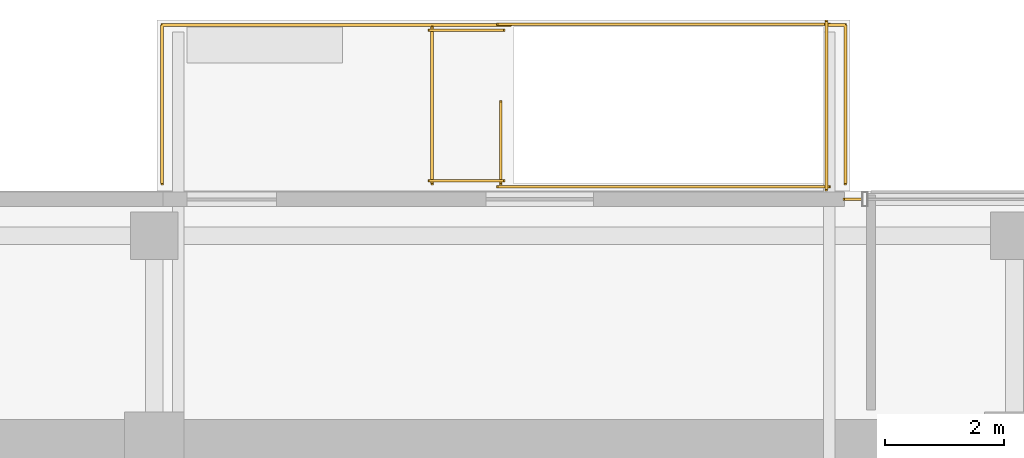
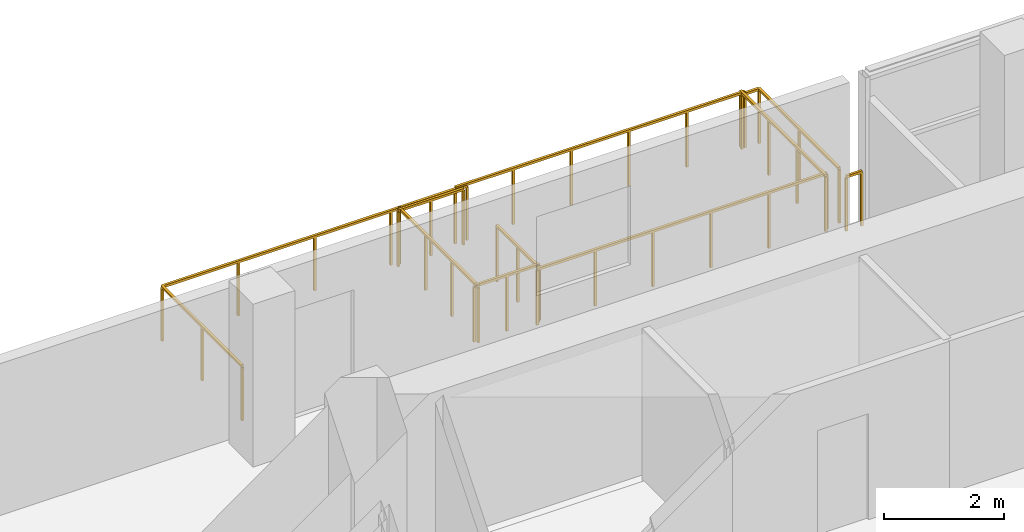
# One storey, part 22 of 23: 10 railings.
"""IFC4 building model written with IfcOpenShell, lengths in metres."""

from ifc_helpers import new_model, si_unit, direction, frame, origin, origin_2d, place, context, subcontext, project, spatial, rectangle, extrude, material, type_object, element, save


model = new_model("IFC4")

# Units and contexts
model_context = context("Model", 3, precision=1e-05, world=origin(), true_north=direction((0.0, 1.0)))
body_context = subcontext(model_context, "Body", "Model", "MODEL_VIEW")
ifc_project = project(units=[si_unit("LENGTHUNIT", "METRE"), si_unit("AREAUNIT", "SQUARE_METRE"), si_unit("VOLUMEUNIT", "CUBIC_METRE"), si_unit("PLANEANGLEUNIT", "RADIAN"), si_unit("MASSUNIT", "GRAM", prefix="KILO")], contexts=[model_context])

# Site, building, storey
site_placement = place(None, origin())
site = spatial("IfcSite", under=ifc_project, at=site_placement, CompositionType="ELEMENT")
building_placement = place(site_placement, origin())
building = spatial("IfcBuilding", under=site, at=building_placement, Name="Zarnakvel Exchange Tower", CompositionType="ELEMENT")
storey_placement = place(building_placement, frame((0.0, 0.0, 116.5)))
storey = spatial("IfcBuildingStorey", under=building, at=storey_placement, Name="L32", CompositionType="ELEMENT", Elevation=116.5)

# Railings
ifc_material = material(Name="Architectural Bronze Anodised Aluminium", Category="aluminium")
railing_type_1 = type_object("IfcRailingType", Name="GR-02", PredefinedType="GUARDRAIL", material=ifc_material)
railing_1_placement = place(storey_placement, frame((-7.070068359375, 17.820068359375, 0.0)))
element("IfcRailing", 1, at=railing_1_placement, inside=storey, type_object=railing_type_1, Name="L32 Spiral Sky-Terrace West Perimeter Guardrail", PredefinedType="GUARDRAIL", context=body_context, shape_type="SweptSolid", body=[
    extrude(rectangle(XDim=0.048095703125, YDim=0.048095703125, at=origin_2d()), frame((0.0, 0.0, 1.09619140625), z_axis=(0.0, 1.0, 0.0), x_axis=(-1.0, 0.0, 0.0)), (0.0, 0.0, 1.0), 2.659912109375),
    extrude(rectangle(XDim=0.048095703125, YDim=0.048095703125, at=origin_2d()), frame((0.0, 2.659912109375, 1.09619140625), z_axis=(1.0, 0.0, 0.0), x_axis=(0.0, 1.0, 0.0)), (0.0, 0.0, 1.0), 5.840087890625),
    extrude(rectangle(XDim=0.0419921875, YDim=0.0419921875, at=origin_2d()), origin(), (0.0, 0.0, 1.0), 1.072021484375),
    extrude(rectangle(XDim=0.0419921875, YDim=0.0419921875, at=origin_2d()), frame((0.0, 1.330078125, 0.0)), (0.0, 0.0, 1.0), 1.072021484375),
    extrude(rectangle(XDim=0.0419921875, YDim=0.0419921875, at=origin_2d()), frame((0.0, 2.659912109375, 0.0)), (0.0, 0.0, 1.0), 1.072021484375),
    extrude(rectangle(XDim=0.0419921875, YDim=0.0419921875, at=origin_2d()), frame((1.4599609375, 2.659912109375, 0.0)), (0.0, 0.0, 1.0), 1.072021484375),
    extrude(rectangle(XDim=0.0419921875, YDim=0.0419921875, at=origin_2d()), frame((2.919921875, 2.659912109375, 0.0)), (0.0, 0.0, 1.0), 1.072021484375),
    extrude(rectangle(XDim=0.0419921875, YDim=0.0419921875, at=origin_2d()), frame((4.380126953125, 2.659912109375, 0.0)), (0.0, 0.0, 1.0), 1.072021484375),
    extrude(rectangle(XDim=0.0419921875, YDim=0.0419921875, at=origin_2d()), frame((5.840087890625, 2.659912109375, 0.0)), (0.0, 0.0, 1.0), 1.072021484375),
])
railing_2_placement = place(storey_placement, frame((4.0400390625, 20.47998046875, 0.0)))
element("IfcRailing", 2, at=railing_2_placement, inside=storey, type_object=railing_type_1, Name="L32 Spiral Sky-Terrace East Corner Guardrail", PredefinedType="GUARDRAIL", context=body_context, shape_type="SweptSolid", body=[
    extrude(rectangle(XDim=0.048095703125, YDim=0.048095703125, at=origin_2d()), frame((0.0, 0.0, 1.09619140625), z_axis=(1.0, 0.0, 0.0), x_axis=(0.0, 1.0, 0.0)), (0.0, 0.0, 1.0), 0.330078125),
    extrude(rectangle(XDim=0.048095703125, YDim=0.048095703125, at=origin_2d()), frame((0.330078125, 0.0, 1.09619140625), z_axis=(0.0, -1.0, 0.0), x_axis=(1.0, 0.0, 0.0)), (0.0, 0.0, 1.0), 2.659912109375),
    extrude(rectangle(XDim=0.0419921875, YDim=0.0419921875, at=origin_2d()), origin(), (0.0, 0.0, 1.0), 1.072021484375),
    extrude(rectangle(XDim=0.0419921875, YDim=0.0419921875, at=origin_2d()), frame((0.330078125, 0.0, 0.0)), (0.0, 0.0, 1.0), 1.072021484375),
    extrude(rectangle(XDim=0.0419921875, YDim=0.0419921875, at=origin_2d()), frame((0.330078125, -1.330078125, 0.0)), (0.0, 0.0, 1.0), 1.072021484375),
    extrude(rectangle(XDim=0.0419921875, YDim=0.0419921875, at=origin_2d()), frame((0.330078125, -2.659912109375, 0.0)), (0.0, 0.0, 1.0), 1.072021484375),
])
railing_3_placement = place(storey_placement, frame((4.35009765625, 17.56005859375, 0.0)))
element("IfcRailing", 3, at=railing_3_placement, inside=storey, type_object=railing_type_1, Name="L32 Corner Spandrel Balustrade #8", PredefinedType="GUARDRAIL", context=body_context, shape_type="SweptSolid", body=[
    extrude(rectangle(XDim=0.048095703125, YDim=0.048095703125, at=origin_2d()), frame((0.0, 0.0, 1.09619140625), z_axis=(1.0, 0.0, 0.0), x_axis=(0.0, 1.0, 0.0)), (0.0, 0.0, 1.0), 0.2998046875),
    extrude(rectangle(XDim=0.0419921875, YDim=0.0419921875, at=origin_2d()), origin(), (0.0, 0.0, 1.0), 1.072021484375),
    extrude(rectangle(XDim=0.0419921875, YDim=0.0419921875, at=origin_2d()), frame((0.2998046875, 0.0, 0.0)), (0.0, 0.0, 1.0), 1.072021484375),
])
railing_type_2 = type_object("IfcRailingType", Name="SG-01", PredefinedType="GUARDRAIL", material=ifc_material)
railing_4_placement = place(storey_placement, frame((-1.39990234375, 17.820068359375, 0.0)))
element("IfcRailing", 4, at=railing_4_placement, inside=storey, type_object=railing_type_2, Name="L32 ST-10 top well guard 1", PredefinedType="GUARDRAIL", context=body_context, shape_type="SweptSolid", body=[
    extrude(rectangle(XDim=0.048095703125, YDim=0.048095703125, at=origin_2d()), frame((0.0, 0.0, 1.1259765625), z_axis=(0.0, 1.0, 0.0), x_axis=(-1.0, 0.0, 0.0)), (0.0, 0.0, 1.0), 1.369873046875),
    extrude(rectangle(XDim=0.0419921875, YDim=0.0419921875, at=origin_2d()), origin(), (0.0, 0.0, 1.0), 1.101806640625),
    extrude(rectangle(XDim=0.0419921875, YDim=0.0419921875, at=origin_2d()), frame((0.0, 0.68505859375, 0.0)), (0.0, 0.0, 1.0), 1.101806640625),
    extrude(rectangle(XDim=0.0419921875, YDim=0.0419921875, at=origin_2d()), frame((0.0, 1.369873046875, 0.0)), (0.0, 0.0, 1.0), 1.101806640625),
])
for number, where, name in (
    (5, (-1.449951171875, 17.77001953125, 0.0), "L32 ST-10 top well guard 2"),
    (6, (-1.449951171875, 20.489990234375, 0.0), "L32 ST-10 top well guard 3"),
):
    element("IfcRailing", number, at=place(storey_placement, frame(where)), inside=storey, type_object=railing_type_2, Name=name, PredefinedType="GUARDRAIL", context=body_context, shape_type="SweptSolid", body=[
        extrude(rectangle(XDim=0.048095703125, YDim=0.048095703125, at=origin_2d()), frame((0.0, 0.0, 1.1259765625), z_axis=(1.0, 0.0, 0.0), x_axis=(0.0, 1.0, 0.0)), (0.0, 0.0, 1.0), 5.550048828125),
        extrude(rectangle(XDim=0.0419921875, YDim=0.0419921875, at=origin_2d()), origin(), (0.0, 0.0, 1.0), 1.101806640625),
        extrude(rectangle(XDim=0.0419921875, YDim=0.0419921875, at=origin_2d()), frame((1.110107421875, 0.0, 0.0)), (0.0, 0.0, 1.0), 1.101806640625),
        extrude(rectangle(XDim=0.0419921875, YDim=0.0419921875, at=origin_2d()), frame((2.219970703125, 0.0, 0.0)), (0.0, 0.0, 1.0), 1.101806640625),
        extrude(rectangle(XDim=0.0419921875, YDim=0.0419921875, at=origin_2d()), frame((3.330078125, 0.0, 0.0)), (0.0, 0.0, 1.0), 1.101806640625),
        extrude(rectangle(XDim=0.0419921875, YDim=0.0419921875, at=origin_2d()), frame((4.43994140625, 0.0, 0.0)), (0.0, 0.0, 1.0), 1.101806640625),
        extrude(rectangle(XDim=0.0419921875, YDim=0.0419921875, at=origin_2d()), frame((5.550048828125, 0.0, 0.0)), (0.0, 0.0, 1.0), 1.101806640625),
    ])
railing_5_placement = place(storey_placement, frame((4.050048828125, 17.719970703125, 0.0)))
element("IfcRailing", 7, at=railing_5_placement, inside=storey, type_object=railing_type_2, Name="L32 ST-10 top well guard 4", PredefinedType="GUARDRAIL", context=body_context, shape_type="SweptSolid", body=[
    extrude(rectangle(XDim=0.048095703125, YDim=0.048095703125, at=origin_2d()), frame((0.0, 0.0, 1.1259765625), z_axis=(0.0, 1.0, 0.0), x_axis=(-1.0, 0.0, 0.0)), (0.0, 0.0, 1.0), 2.820068359375),
    extrude(rectangle(XDim=0.0419921875, YDim=0.0419921875, at=origin_2d()), origin(), (0.0, 0.0, 1.0), 1.101806640625),
    extrude(rectangle(XDim=0.0419921875, YDim=0.0419921875, at=origin_2d()), frame((0.0, 0.93994140625, 0.0)), (0.0, 0.0, 1.0), 1.101806640625),
    extrude(rectangle(XDim=0.0419921875, YDim=0.0419921875, at=origin_2d()), frame((0.0, 1.880126953125, 0.0)), (0.0, 0.0, 1.0), 1.101806640625),
    extrude(rectangle(XDim=0.0419921875, YDim=0.0419921875, at=origin_2d()), frame((0.0, 2.820068359375, 0.0)), (0.0, 0.0, 1.0), 1.101806640625),
])
for number, where, name in (
    (8, (-2.60009765625, 17.8701171875, 0.0), "L32 ST-10 top well guard 5"),
    (9, (-2.60009765625, 20.389892578125, 0.0), "L32 ST-10 top well guard 6"),
):
    element("IfcRailing", number, at=place(storey_placement, frame(where)), inside=storey, type_object=railing_type_2, Name=name, PredefinedType="GUARDRAIL", context=body_context, shape_type="SweptSolid", body=[
        extrude(rectangle(XDim=0.048095703125, YDim=0.048095703125, at=origin_2d()), frame((0.0, 0.0, 1.1259765625), z_axis=(1.0, 0.0, 0.0), x_axis=(0.0, 1.0, 0.0)), (0.0, 0.0, 1.0), 1.25),
        extrude(rectangle(XDim=0.0419921875, YDim=0.0419921875, at=origin_2d()), origin(), (0.0, 0.0, 1.0), 1.101806640625),
        extrude(rectangle(XDim=0.0419921875, YDim=0.0419921875, at=origin_2d()), frame((0.625, 0.0, 0.0)), (0.0, 0.0, 1.0), 1.101806640625),
        extrude(rectangle(XDim=0.0419921875, YDim=0.0419921875, at=origin_2d()), frame((1.25, 0.0, 0.0)), (0.0, 0.0, 1.0), 1.101806640625),
    ])
railing_6_placement = place(storey_placement, frame((-2.550048828125, 17.820068359375, 0.0)))
element("IfcRailing", 10, at=railing_6_placement, inside=storey, type_object=railing_type_2, Name="L32 ST-10 top well guard 7", PredefinedType="GUARDRAIL", context=body_context, shape_type="SweptSolid", body=[
    extrude(rectangle(XDim=0.048095703125, YDim=0.048095703125, at=origin_2d()), frame((0.0, 0.0, 1.1259765625), z_axis=(0.0, 1.0, 0.0), x_axis=(-1.0, 0.0, 0.0)), (0.0, 0.0, 1.0), 2.619873046875),
    extrude(rectangle(XDim=0.0419921875, YDim=0.0419921875, at=origin_2d()), origin(), (0.0, 0.0, 1.0), 1.101806640625),
    extrude(rectangle(XDim=0.0419921875, YDim=0.0419921875, at=origin_2d()), frame((0.0, 0.873291015625, 0.0)), (0.0, 0.0, 1.0), 1.101806640625),
    extrude(rectangle(XDim=0.0419921875, YDim=0.0419921875, at=origin_2d()), frame((0.0, 1.74658203125, 0.0)), (0.0, 0.0, 1.0), 1.101806640625),
    extrude(rectangle(XDim=0.0419921875, YDim=0.0419921875, at=origin_2d()), frame((0.0, 2.619873046875, 0.0)), (0.0, 0.0, 1.0), 1.101806640625),
])

save(model, "model.ifc")
